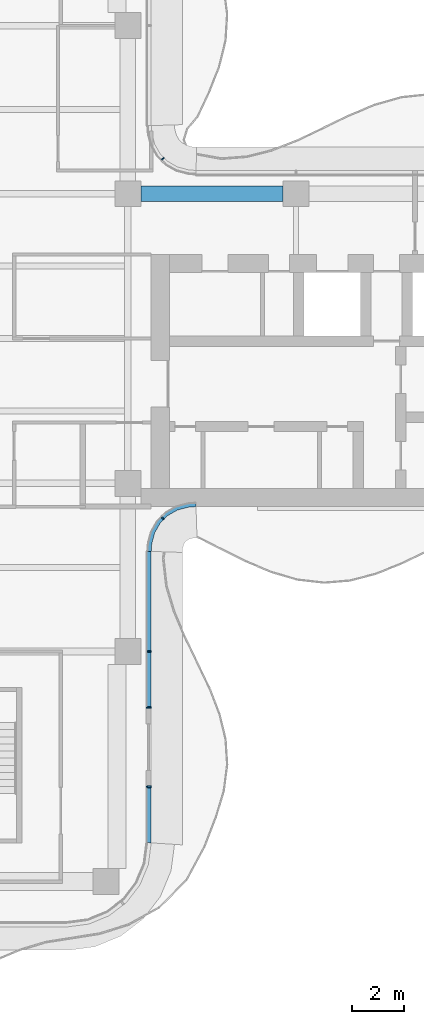
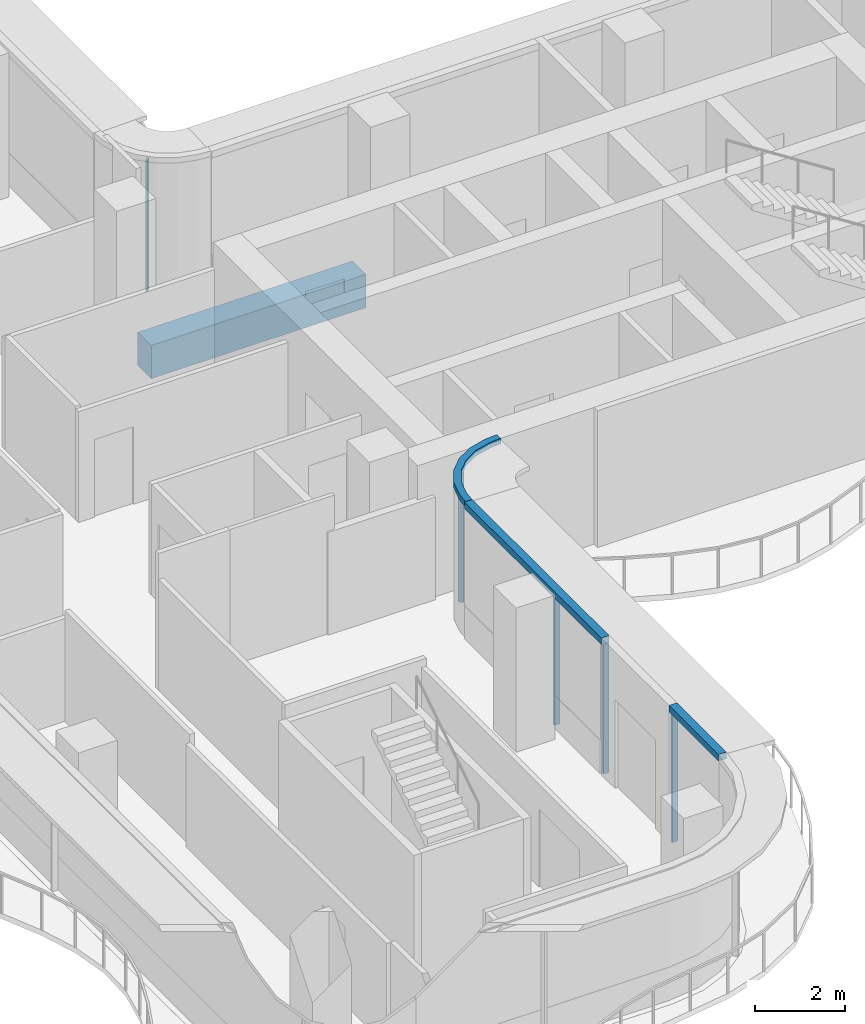
# One storey, part 5 of 16: 8 members, 1 beam, 4 elements without a shape of their own.
"""IFC4 building model written with IfcOpenShell, lengths in metres."""

from ifc_helpers import new_model, si_unit, direction, frame, origin, origin_2d, place, context, subcontext, project, spatial, polyline, rectangle, outline, extrude, source, transform, mapped, material, layer, layer_set, material_profile, profile_set, type_object, element, aggregate, save


model = new_model("IFC4")

# Units and contexts
model_context = context("Model", 3, precision=1e-05, world=origin(), true_north=direction((0.0, 1.0)))
body_context = subcontext(model_context, "Body", "Model", "MODEL_VIEW")
ifc_project = project(units=[si_unit("LENGTHUNIT", "METRE"), si_unit("AREAUNIT", "SQUARE_METRE"), si_unit("VOLUMEUNIT", "CUBIC_METRE"), si_unit("PLANEANGLEUNIT", "RADIAN"), si_unit("MASSUNIT", "GRAM", prefix="KILO")], contexts=[model_context])

# Site, building, storey
site_placement = place(None, origin())
site = spatial("IfcSite", under=ifc_project, at=site_placement, CompositionType="ELEMENT")
building_placement = place(site_placement, origin())
building = spatial("IfcBuilding", under=site, at=building_placement, Name="Trellis Farm Tower", CompositionType="ELEMENT")
storey_placement = place(building_placement, frame((0.0, 0.0, 322.300048828125)))
storey = spatial("IfcBuildingStorey", under=building, at=storey_placement, Name="L73", CompositionType="ELEMENT", Elevation=322.300048828125)

# Beam
ifc_material_1 = material(Name="Concrete C60/75", Category="concrete")
ifc_material_profile_1 = material_profile(ifc_material_1, rectangle(XDim=0.60009765625, YDim=0.89990234375, at=origin_2d()), Name="RC spandrel beam 600x900 C60/75")
ifc_profile_set_1 = profile_set([ifc_material_profile_1], Name="Concrete C60/75")
beam_type = type_object("IfcBeamType", Name="RC spandrel beam 600x900 C60/75", PredefinedType="SPANDREL", material=ifc_profile_set_1)
shared_shape_1 = source(origin(), body_context, "Body", "SweptSolid", [
    extrude(rectangle(XDim=0.60009765625, YDim=0.89990234375, at=origin_2d()), origin(), (0.0, 0.0, 1.0), 5.5),
])
beam_placement = place(storey_placement, frame((6.10009765625, 5.60009765625, -0.650146484375), z_axis=(1.0, 0.0, 0.0), x_axis=(0.0, 1.0, 0.0)))
element("IfcBeam", 1, at=beam_placement, inside=storey, type_object=beam_type, Name="Girder", PredefinedType="SPANDREL", context=body_context, shape_type="MappedRepresentation", body=[
    mapped(shared_shape_1, transform((0.0, 0.0, 0.0))),
])

# Curtain wall, member
ifc_material_2 = material(Name="Aluminium and glass curtain wall", Category="aluminium")
ifc_layer_1 = layer(ifc_material_2, 0.166015625)
ifc_layer_set_1 = layer_set([ifc_layer_1], Name="WINTER GARDEN CURTAIN WALL CW3")
curtain_wall_type_1 = type_object("IfcCurtainWallType", Name="WINTER GARDEN CURTAIN WALL CW3", PredefinedType="NOTDEFINED", material=ifc_layer_set_1)
placement_1 = place(storey_placement, origin())
curtain_wall_1 = element("IfcCurtainWall", 2, at=placement_1, inside=storey, type_object=curtain_wall_type_1, Name="CW3 002", PredefinedType="NOTDEFINED")
ifc_material_3 = material(Name="Aluminium extrusion 6063-T6", Category="aluminium")
ifc_layer_2 = layer(ifc_material_3, 0.169921875)
ifc_layer_set_2 = layer_set([ifc_layer_2], Name="Aluminium extrusion 6063-T6")
member_type_1 = type_object("IfcMemberType", Name="CW3 TRANSOM 170x150", PredefinedType="USERDEFINED", material=ifc_layer_set_2)
shared_shape_2 = source(origin(), body_context, "Body", "SweptSolid", [
    extrude(outline(polyline([(6.5, -8.2314453125), (6.513916015625, -8.01953125), (6.527587890625, -7.91552734375), (6.63671875, -7.508544921875), (6.846923828125, -7.144287109375), (7.144287109375, -6.846923828125), (7.508544921875, -6.63671875), (7.91552734375, -6.527587890625), (8.01953125, -6.513916015625), (8.2314453125, -6.5), (8.225830078125, -6.330078125), (8.0029296875, -6.3447265625), (7.88232421875, -6.360595703125), (7.44287109375, -6.478271484375), (7.0400390625, -6.7109375), (6.7109375, -7.0400390625), (6.478271484375, -7.44287109375), (6.360595703125, -7.88232421875), (6.3447265625, -8.0029296875), (6.330078125, -8.225830078125), (6.5, -8.2314453125)])), origin(), (0.0, 0.0, 1.0), 0.14990234375),
])
member_1_placement = place(storey_placement, frame((0.0, 0.0, 3.550048828125)))
member_1 = element("IfcMember", 3, at=member_1_placement, type_object=member_type_1, Name="TR3 002", ObjectType="TRANSOM", PredefinedType="USERDEFINED", context=body_context, shape_type="MappedRepresentation", body=[
    mapped(shared_shape_2, transform((0.0, 0.0, 0.0))),
])

ifc_layer_3 = layer(ifc_material_2, 0.18994140625)
ifc_layer_set_3 = layer_set([ifc_layer_3], Name="RIBBON CURTAIN WALL CW1")
curtain_wall_type_2 = type_object("IfcCurtainWallType", Name="RIBBON CURTAIN WALL CW1", PredefinedType="NOTDEFINED", material=ifc_layer_set_3)
curtain_wall_2 = element("IfcCurtainWall", 4, at=placement_1, inside=storey, type_object=curtain_wall_type_2, Name="CW1 004", PredefinedType="NOTDEFINED")
ifc_material_profile_2 = material_profile(ifc_material_3, rectangle(XDim=0.06005859375, YDim=0.14990234375, at=origin_2d()), Name="MULLION 60x150")
ifc_profile_set_2 = profile_set([ifc_material_profile_2], Name="Aluminium extrusion 6063-T6")
member_type_2 = type_object("IfcMemberType", Name="CW1 MULLION 60x150", PredefinedType="MULLION", material=ifc_profile_set_2)
shared_shape_3 = source(origin(), body_context, "Body", "SweptSolid", [
    extrude(rectangle(XDim=0.06005859375, YDim=0.14990234375, at=origin_2d()), origin(), (0.0, 0.0, 1.0), 3.52001953125),
])
member_2_placement = place(storey_placement, frame((6.425048828125, -17.330078125, 0.0), z_axis=(0.0, 0.0, 1.0), x_axis=(0.0, 1.0, 0.0)))
member_2 = element("IfcMember", 5, at=member_2_placement, type_object=member_type_2, Name="MU1 004-01", PredefinedType="MULLION", context=body_context, shape_type="MappedRepresentation", body=[
    mapped(shared_shape_3, transform((0.0, 0.0, 0.0))),
])

# Curtain wall, members
curtain_wall_3 = element("IfcCurtainWall", 6, at=placement_1, inside=storey, type_object=curtain_wall_type_2, Name="CW1 005", PredefinedType="NOTDEFINED")
member_3_placement = place(storey_placement, frame((6.425048828125, -14.27001953125, 0.0), z_axis=(0.0, 0.0, 1.0), x_axis=(0.0, 1.0, 0.0)))
member_3 = element("IfcMember", 7, at=member_3_placement, type_object=member_type_2, Name="MU1 005-01", PredefinedType="MULLION", context=body_context, shape_type="MappedRepresentation", body=[
    mapped(shared_shape_3, transform((0.0, 0.0, 0.0))),
])
member_4_placement = place(storey_placement, frame((6.425048828125, -12.10009765625, 0.0), z_axis=(0.0, 0.0, 1.0), x_axis=(0.0, 1.0, 0.0)))
member_4 = element("IfcMember", 8, at=member_4_placement, type_object=member_type_2, Name="MU1 005-02", PredefinedType="MULLION", context=body_context, shape_type="MappedRepresentation", body=[
    mapped(shared_shape_3, transform((0.0, 0.0, 0.0))),
])

# Member
ifc_material_profile_3 = material_profile(ifc_material_3, rectangle(XDim=0.050048828125, YDim=0.1201171875, at=origin_2d()), Name="MULLION 50x120")
ifc_profile_set_3 = profile_set([ifc_material_profile_3], Name="Aluminium extrusion 6063-T6")
member_type_3 = type_object("IfcMemberType", Name="CW3 MULLION 50x120", PredefinedType="MULLION", material=ifc_profile_set_3)
shared_shape_4 = source(origin(), body_context, "Body", "SweptSolid", [
    extrude(rectangle(XDim=0.050048828125, YDim=0.1201171875, at=origin_2d()), origin(), (0.0, 0.0, 1.0), 3.550048828125),
])
member_5_placement = place(storey_placement, frame((6.953125, -6.953125, 0.0), z_axis=(0.0, 0.0, 1.0), x_axis=(0.707106781187, 0.707106781187, 0.0)))
member_5 = element("IfcMember", 9, at=member_5_placement, type_object=member_type_3, Name="MU3 002-01", PredefinedType="MULLION", context=body_context, shape_type="MappedRepresentation", body=[
    mapped(shared_shape_4, transform((0.0, 0.0, 0.0))),
])

aggregate(curtain_wall_1, [member_5, member_1])

# Curtain wall, member
curtain_wall_4 = element("IfcCurtainWall", 10, at=placement_1, inside=storey, type_object=curtain_wall_type_1, Name="CW3 003", PredefinedType="NOTDEFINED")
member_6_placement = place(storey_placement, frame((6.953125, 6.953125, 0.0), z_axis=(0.0, 0.0, 1.0), x_axis=(-0.707106781187, 0.707106781187, 0.0)))
member_6 = element("IfcMember", 11, at=member_6_placement, type_object=member_type_3, Name="MU3 003-01", PredefinedType="MULLION", context=body_context, shape_type="MappedRepresentation", body=[
    mapped(shared_shape_4, transform((0.0, 0.0, 0.0))),
])
aggregate(curtain_wall_4, [member_6])

# Member
ifc_layer_4 = layer(ifc_material_3, 0.199951171875)
ifc_layer_set_4 = layer_set([ifc_layer_4], Name="Aluminium extrusion 6063-T6")
member_type_4 = type_object("IfcMemberType", Name="CW1 TRANSOM 200x180", PredefinedType="USERDEFINED", material=ifc_layer_set_4)
shared_shape_5 = source(origin(), body_context, "Body", "SweptSolid", [
    extrude(outline(polyline([(6.5, -19.5), (6.5, -17.300048828125), (6.300048828125, -17.300048828125), (6.300048828125, -19.48681640625), (6.5, -19.5)])), origin(), (0.0, 0.0, 1.0), 0.179931640625),
])
placement_2 = place(storey_placement, frame((0.0, 0.0, 3.52001953125)))
member_7 = element("IfcMember", 12, at=placement_2, type_object=member_type_4, Name="TR1 004", ObjectType="TRANSOM", PredefinedType="USERDEFINED", context=body_context, shape_type="MappedRepresentation", body=[
    mapped(shared_shape_5, transform((0.0, 0.0, 0.0))),
])

aggregate(curtain_wall_2, [member_2, member_7])

shared_shape_6 = source(origin(), body_context, "Body", "SweptSolid", [
    extrude(outline(polyline([(6.5, -14.300048828125), (6.5, -8.2314453125), (6.300048828125, -8.224853515625), (6.300048828125, -14.300048828125), (6.5, -14.300048828125)])), origin(), (0.0, 0.0, 1.0), 0.179931640625),
])
member_8 = element("IfcMember", 13, at=placement_2, type_object=member_type_4, Name="TR1 005", ObjectType="TRANSOM", PredefinedType="USERDEFINED", context=body_context, shape_type="MappedRepresentation", body=[
    mapped(shared_shape_6, transform((0.0, 0.0, 0.0))),
])

aggregate(curtain_wall_3, [member_3, member_4, member_8])

save(model, "model.ifc")
